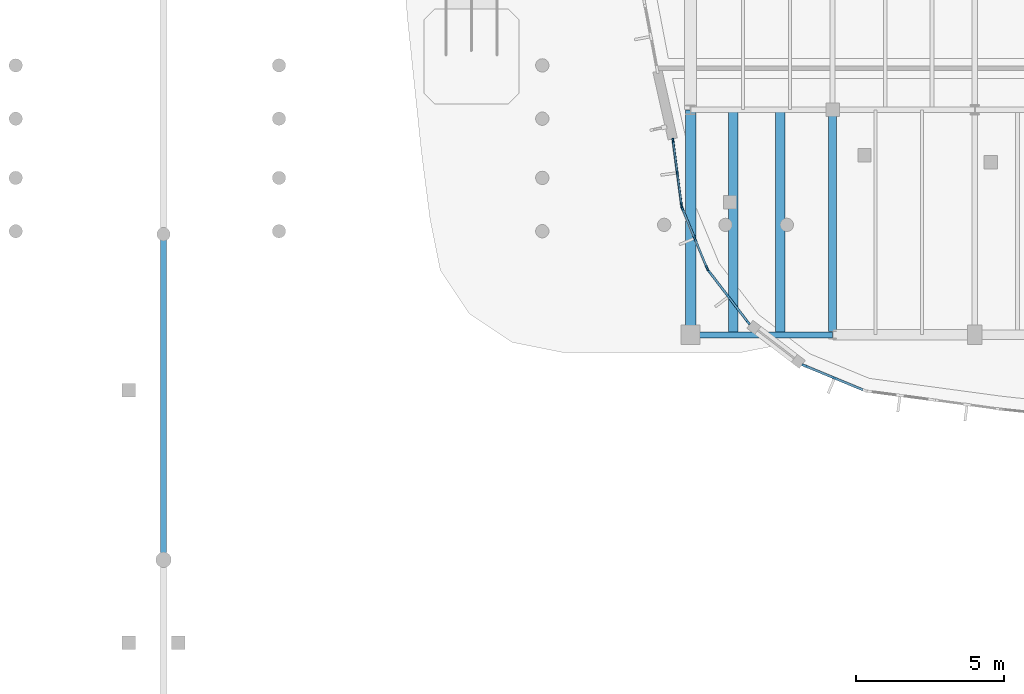
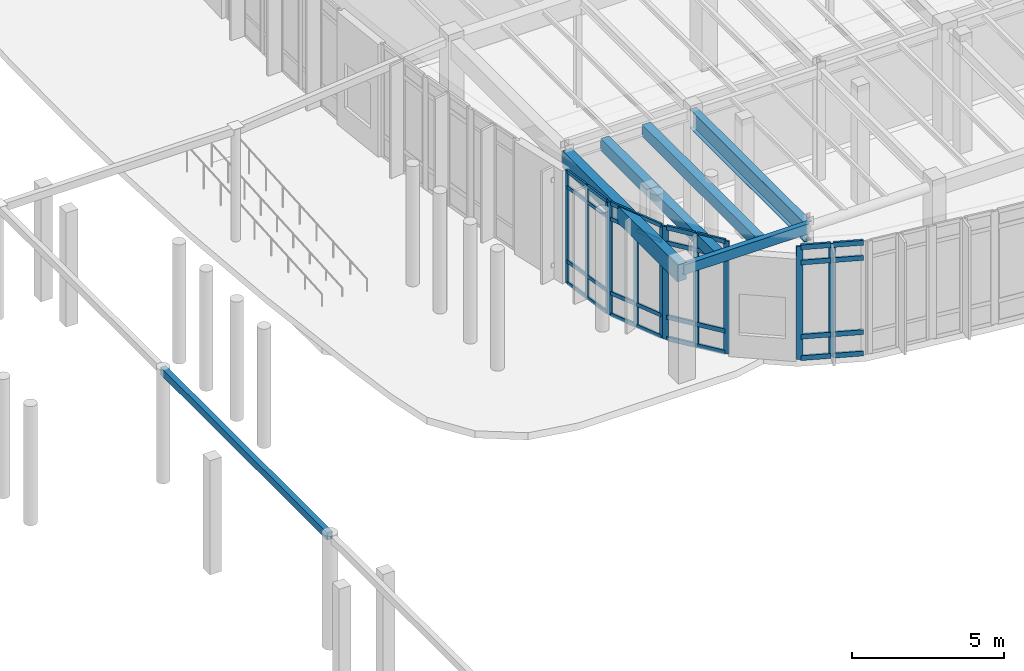
# One storey, part 37 of 120: 43 members, 6 beams, 4 elements without a shape of their own.
"""IFC4 building model written with IfcOpenShell, lengths in metres."""

from ifc_helpers import new_model, si_unit, direction, frame, origin, origin_2d, place, context, subcontext, project, spatial, rectangle, hollow_rectangle, i_section, extrude, material, material_profile, profile_set, type_object, element, aggregate, save


model = new_model("IFC4")

# Units and contexts
model_context = context("Model", 3, precision=1e-05, world=origin(), true_north=direction((0.0, 1.0)))
body_context = subcontext(model_context, "Body", "Model", "MODEL_VIEW")
ifc_project = project(units=[si_unit("LENGTHUNIT", "METRE"), si_unit("AREAUNIT", "SQUARE_METRE"), si_unit("VOLUMEUNIT", "CUBIC_METRE"), si_unit("PLANEANGLEUNIT", "RADIAN"), si_unit("MASSUNIT", "GRAM", prefix="KILO")], contexts=[model_context])

# Site, building, storey
site_placement = place(None, origin())
site = spatial("IfcSite", under=ifc_project, at=site_placement, CompositionType="ELEMENT")
building_placement = place(site_placement, origin())
building = spatial("IfcBuilding", under=site, at=building_placement, Name="Corveleigh Park Community Centre", CompositionType="ELEMENT")
storey_placement = place(building_placement, origin())
storey = spatial("IfcBuildingStorey", under=building, at=storey_placement, Name="L00", CompositionType="ELEMENT", Elevation=0.0)

# Beams
ifc_material_1 = material(Name="Concrete C40/50", Category="concrete")
ifc_material_profile_1 = material_profile(ifc_material_1, rectangle(XDim=0.324951171875, YDim=0.47509765625, at=origin_2d()), Name="RC-325x475", Category="concrete")
ifc_profile_set_1 = profile_set([ifc_material_profile_1], Name="Concrete C40/50")
beam_type_1 = type_object("IfcBeamType", Name="BM-RC-325x475", PredefinedType="JOIST", material=ifc_profile_set_1)
for number, where, z_axis, x_axis, name in (
    (1, (131.239990234375, 58.60498046875, 4.28955078125), (0.0, 1.0, 0.0), (-1.0, 0.0, 0.0), "Secondary floor joist"),
    (2, (132.823974609375, 58.60498046875, 4.28955078125), (0.0, 1.0, 0.0), (-1.0, 0.0, 0.0), "Secondary floor joist"),
):
    element("IfcBeam", number, at=place(storey_placement, frame(where, z_axis=z_axis, x_axis=x_axis)), inside=storey, type_object=beam_type_1, Name=name, PredefinedType="JOIST", context=body_context, shape_type="SweptSolid", body=[
        extrude(rectangle(XDim=0.324951171875, YDim=0.47509765625, at=origin_2d()), origin(), (0.0, 0.0, 1.0), 7.590087890625),
    ])
ifc_material_2 = material(Name="Steel S355", Category="steel")
ifc_material_profile_2 = material_profile(ifc_material_2, i_section(OverallWidth=0.2666015625, OverallDepth=0.76220703125, WebThickness=0.014404296875, FlangeThickness=0.021484375, at=origin_2d()), Name="UKB 762x267x173", Category="steel")
ifc_profile_set_2 = profile_set([ifc_material_profile_2], Name="Steel S355")
beam_type_2 = type_object("IfcBeamType", Name="BM-STL-UKB762x173", PredefinedType="BEAM", material=ifc_profile_set_2)
beam_1_placement = place(storey_placement, frame((134.60009765625, 58.60498046875, 4.14599609375), z_axis=(0.0, 1.0, 0.0), x_axis=(-1.0, 0.0, 0.0)))
element("IfcBeam", 3, at=beam_1_placement, inside=storey, type_object=beam_type_2, Name="V4 Girder Y", PredefinedType="BEAM", context=body_context, shape_type="SweptSolid", body=[
    extrude(i_section(OverallWidth=0.2666015625, OverallDepth=0.76220703125, WebThickness=0.014404296875, FlangeThickness=0.021484375, at=origin_2d()), origin(), (0.0, 0.0, 1.0), 7.590087890625),
])

# Curtain wall, members
ifc_material_3 = material(Name="Anodised aluminium 6063-T6", Category="aluminium")
curtain_wall_type = type_object("IfcCurtainWallType", Name="CW-SYS-V4-L00", PredefinedType="NOTDEFINED", material=ifc_material_3)
curtain_wall_1_placement = place(storey_placement, origin())
curtain_wall_1 = element("IfcCurtainWall", 4, at=curtain_wall_1_placement, inside=storey, type_object=curtain_wall_type, Name="V4 L00 Curtain Wall 157", PredefinedType="NOTDEFINED")
ifc_material_profile_3 = material_profile(ifc_material_3, rectangle(XDim=0.06005859375, YDim=0.159912109375, at=origin_2d()), Name="ALU-M60x160", Category="aluminium")
ifc_profile_set_3 = profile_set([ifc_material_profile_3], Name="Anodised aluminium 6063-T6")
member_type_1 = type_object("IfcMemberType", Name="CWM-60x160", PredefinedType="MULLION", material=ifc_profile_set_3)
member_1_placement = place(storey_placement, frame((129.4921875, 62.983642578125, 0.0), z_axis=(0.0, 0.0, 1.0), x_axis=(-0.991428562913, -0.13064993165, 0.0)))
member_1 = element("IfcMember", 5, at=member_1_placement, type_object=member_type_1, Name="CW07 mullion 1", PredefinedType="MULLION", context=body_context, shape_type="SweptSolid", body=[
    extrude(rectangle(XDim=0.06005859375, YDim=0.159912109375, at=origin_2d()), origin(), (0.0, 0.0, 1.0), 4.537109375),
])
member_2_placement = place(storey_placement, frame((129.34912109375, 64.069580078125, 0.0), z_axis=(0.0, 0.0, 1.0), x_axis=(-0.991428562913, -0.13064993165, 0.0)))
member_2 = element("IfcMember", 6, at=member_2_placement, type_object=member_type_1, Name="CW07 mullion 2", PredefinedType="MULLION", context=body_context, shape_type="SweptSolid", body=[
    extrude(rectangle(XDim=0.06005859375, YDim=0.159912109375, at=origin_2d()), origin(), (0.0, 0.0, 1.0), 4.537109375),
])
member_3_placement = place(storey_placement, frame((129.205810546875, 65.1552734375, 0.0), z_axis=(0.0, 0.0, 1.0), x_axis=(-0.991428562913, -0.13064993165, 0.0)))
member_3 = element("IfcMember", 7, at=member_3_placement, type_object=member_type_1, Name="CW07 mullion 3", PredefinedType="MULLION", context=body_context, shape_type="SweptSolid", body=[
    extrude(rectangle(XDim=0.06005859375, YDim=0.159912109375, at=origin_2d()), origin(), (0.0, 0.0, 1.0), 4.537109375),
])

curtain_wall_2_placement = place(storey_placement, origin())
curtain_wall_2 = element("IfcCurtainWall", 8, at=curtain_wall_2_placement, inside=storey, type_object=curtain_wall_type, Name="V4 L00 Curtain Wall 158", PredefinedType="NOTDEFINED")
ifc_material_profile_4 = material_profile(ifc_material_3, rectangle(XDim=0.06494140625, YDim=0.179931640625, at=origin_2d()), Name="ALU-M65x180", Category="aluminium")
ifc_profile_set_4 = profile_set([ifc_material_profile_4], Name="Anodised aluminium 6063-T6")
member_type_2 = type_object("IfcMemberType", Name="CWM-65x180", PredefinedType="MULLION", material=ifc_profile_set_4)
member_4_placement = place(storey_placement, frame((130.3544921875, 60.860107421875, 0.0), z_axis=(0.0, 0.0, 1.0), x_axis=(-0.923738247695, -0.383024346152, 0.0)))
member_4 = element("IfcMember", 9, at=member_4_placement, type_object=member_type_2, Name="CW07 mullion 1", PredefinedType="MULLION", context=body_context, shape_type="SweptSolid", body=[
    extrude(rectangle(XDim=0.06494140625, YDim=0.179931640625, at=origin_2d()), origin(), (0.0, 0.0, 1.0), 4.537109375),
])
member_5_placement = place(storey_placement, frame((129.939453125, 61.861083984375, 0.0), z_axis=(0.0, 0.0, 1.0), x_axis=(-0.923738247695, -0.383024346152, 0.0)))
member_5 = element("IfcMember", 10, at=member_5_placement, type_object=member_type_2, Name="CW07 mullion 2", PredefinedType="MULLION", context=body_context, shape_type="SweptSolid", body=[
    extrude(rectangle(XDim=0.06494140625, YDim=0.179931640625, at=origin_2d()), origin(), (0.0, 0.0, 1.0), 4.537109375),
])
member_6_placement = place(storey_placement, frame((129.5244140625, 62.862060546875, 0.0), z_axis=(0.0, 0.0, 1.0), x_axis=(-0.923738247695, -0.383024346152, 0.0)))
member_6 = element("IfcMember", 11, at=member_6_placement, type_object=member_type_2, Name="CW07 mullion 3", PredefinedType="MULLION", context=body_context, shape_type="SweptSolid", body=[
    extrude(rectangle(XDim=0.06494140625, YDim=0.179931640625, at=origin_2d()), origin(), (0.0, 0.0, 1.0), 4.537109375),
])

curtain_wall_3_placement = place(storey_placement, origin())
curtain_wall_3 = element("IfcCurtainWall", 12, at=curtain_wall_3_placement, inside=storey, type_object=curtain_wall_type, Name="V4 L00 Curtain Wall 159", PredefinedType="NOTDEFINED")
ifc_material_profile_5 = material_profile(ifc_material_3, rectangle(XDim=0.070068359375, YDim=0.199951171875, at=origin_2d()), Name="ALU-M70x200", Category="aluminium")
ifc_profile_set_5 = profile_set([ifc_material_profile_5], Name="Anodised aluminium 6063-T6")
member_type_3 = type_object("IfcMemberType", Name="CWM-70x200", PredefinedType="MULLION", material=ifc_profile_set_5)
member_7_placement = place(storey_placement, frame((131.73681640625, 59.02978515625, 0.0), z_axis=(0.0, 0.0, 1.0), x_axis=(-0.79345507523, -0.608628822511, 0.0)))
member_7 = element("IfcMember", 13, at=member_7_placement, type_object=member_type_3, Name="CW07 mullion 1", PredefinedType="MULLION", context=body_context, shape_type="SweptSolid", body=[
    extrude(rectangle(XDim=0.070068359375, YDim=0.199951171875, at=origin_2d()), origin(), (0.0, 0.0, 1.0), 4.537109375),
])
member_8_placement = place(storey_placement, frame((131.077880859375, 59.888427734375, 0.0), z_axis=(0.0, 0.0, 1.0), x_axis=(-0.79345507523, -0.608628822511, 0.0)))
member_8 = element("IfcMember", 14, at=member_8_placement, type_object=member_type_3, Name="CW07 mullion 2", PredefinedType="MULLION", context=body_context, shape_type="SweptSolid", body=[
    extrude(rectangle(XDim=0.070068359375, YDim=0.199951171875, at=origin_2d()), origin(), (0.0, 0.0, 1.0), 4.537109375),
])
member_9_placement = place(storey_placement, frame((130.419189453125, 60.747314453125, 0.0), z_axis=(0.0, 0.0, 1.0), x_axis=(-0.79345507523, -0.608628822511, 0.0)))
member_9 = element("IfcMember", 15, at=member_9_placement, type_object=member_type_3, Name="CW07 mullion 3", PredefinedType="MULLION", context=body_context, shape_type="SweptSolid", body=[
    extrude(rectangle(XDim=0.070068359375, YDim=0.199951171875, at=origin_2d()), origin(), (0.0, 0.0, 1.0), 4.537109375),
])

curtain_wall_4_placement = place(storey_placement, origin())
curtain_wall_4 = element("IfcCurtainWall", 16, at=curtain_wall_4_placement, inside=storey, type_object=curtain_wall_type, Name="V4 L00 Curtain Wall 160", PredefinedType="NOTDEFINED")
ifc_material_profile_6 = material_profile(ifc_material_3, rectangle(XDim=0.074951171875, YDim=0.219970703125, at=origin_2d()), Name="ALU-M75x220", Category="aluminium")
ifc_profile_set_6 = profile_set([ifc_material_profile_6], Name="Anodised aluminium 6063-T6")
member_type_4 = type_object("IfcMemberType", Name="CWM-75x220", PredefinedType="MULLION", material=ifc_profile_set_6)
member_10_placement = place(storey_placement, frame((134.660888671875, 57.139404296875, 0.0), z_axis=(0.0, 0.0, 1.0), x_axis=(-0.383024346152, -0.923738247695, 0.0)))
member_10 = element("IfcMember", 17, at=member_10_placement, type_object=member_type_4, Name="CW07 mullion 2", PredefinedType="MULLION", context=body_context, shape_type="SweptSolid", body=[
    extrude(rectangle(XDim=0.074951171875, YDim=0.219970703125, at=origin_2d()), origin(), (0.0, 0.0, 1.0), 4.537109375),
])
member_11_placement = place(storey_placement, frame((133.66455078125, 57.552734375, 0.0), z_axis=(0.0, 0.0, 1.0), x_axis=(-0.383024346152, -0.923738247695, 0.0)))
member_11 = element("IfcMember", 18, at=member_11_placement, type_object=member_type_4, Name="CW07 mullion 3", PredefinedType="MULLION", context=body_context, shape_type="SweptSolid", body=[
    extrude(rectangle(XDim=0.074951171875, YDim=0.219970703125, at=origin_2d()), origin(), (0.0, 0.0, 1.0), 4.537109375),
])

# Member
ifc_material_profile_7 = material_profile(ifc_material_3, rectangle(XDim=0.06494140625, YDim=0.139892578125, at=origin_2d()), Name="ALU-T65x140", Category="aluminium")
ifc_profile_set_7 = profile_set([ifc_material_profile_7], Name="Anodised aluminium 6063-T6")
member_type_5 = type_object("IfcMemberType", Name="CWT-65x140", PredefinedType="USERDEFINED", material=ifc_profile_set_7)
member_12_placement = place(storey_placement, frame((129.48828125, 63.013427734375, 0.032470703125), z_axis=(-0.13064972384, 0.991428590298, 0.0), x_axis=(-0.991428590298, -0.13064972384, 0.0)))
member_12 = element("IfcMember", 19, at=member_12_placement, type_object=member_type_5, Name="CW07 transom 1.1", ObjectType="TRANSOM", PredefinedType="USERDEFINED", context=body_context, shape_type="SweptSolid", body=[
    extrude(rectangle(XDim=0.06494140625, YDim=0.139892578125, at=origin_2d()), origin(), (0.0, 0.0, 1.0), 1.03515625),
])

member_13_placement = place(storey_placement, frame((129.48828125, 63.013427734375, 0.89990234375), z_axis=(-0.13064972384, 0.991428590298, 0.0), x_axis=(-0.991428590298, -0.13064972384, 0.0)))
member_13 = element("IfcMember", 20, at=member_13_placement, type_object=member_type_5, Name="CW07 transom 1.2", ObjectType="TRANSOM", PredefinedType="USERDEFINED", context=body_context, shape_type="SweptSolid", body=[
    extrude(rectangle(XDim=0.06494140625, YDim=0.139892578125, at=origin_2d()), origin(), (0.0, 0.0, 1.0), 1.03515625),
])

member_14_placement = place(storey_placement, frame((129.48828125, 63.013427734375, 3.886962890625), z_axis=(-0.13064972384, 0.991428590298, 0.0), x_axis=(-0.991428590298, -0.13064972384, 0.0)))
member_14 = element("IfcMember", 21, at=member_14_placement, type_object=member_type_5, Name="CW07 transom 1.3", ObjectType="TRANSOM", PredefinedType="USERDEFINED", context=body_context, shape_type="SweptSolid", body=[
    extrude(rectangle(XDim=0.06494140625, YDim=0.139892578125, at=origin_2d()), origin(), (0.0, 0.0, 1.0), 1.03515625),
])

member_15_placement = place(storey_placement, frame((129.48828125, 63.013427734375, 4.50439453125), z_axis=(-0.13064972384, 0.991428590298, 0.0), x_axis=(-0.991428590298, -0.13064972384, 0.0)))
member_15 = element("IfcMember", 22, at=member_15_placement, type_object=member_type_5, Name="CW07 transom 1.4", ObjectType="TRANSOM", PredefinedType="USERDEFINED", context=body_context, shape_type="SweptSolid", body=[
    extrude(rectangle(XDim=0.06494140625, YDim=0.139892578125, at=origin_2d()), origin(), (0.0, 0.0, 1.0), 1.03515625),
])

member_16_placement = place(storey_placement, frame((129.344970703125, 64.09912109375, 0.032470703125), z_axis=(-0.130417908769, 0.991459111145, 0.0), x_axis=(-0.991459111145, -0.130417908769, 0.0)))
member_16 = element("IfcMember", 23, at=member_16_placement, type_object=member_type_5, Name="CW07 transom 2.1", ObjectType="TRANSOM", PredefinedType="USERDEFINED", context=body_context, shape_type="SweptSolid", body=[
    extrude(rectangle(XDim=0.06494140625, YDim=0.139892578125, at=origin_2d()), origin(), (0.0, 0.0, 1.0), 1.03515625),
])

member_17_placement = place(storey_placement, frame((129.344970703125, 64.09912109375, 0.89990234375), z_axis=(-0.130417908769, 0.991459111145, 0.0), x_axis=(-0.991459111145, -0.130417908769, 0.0)))
member_17 = element("IfcMember", 24, at=member_17_placement, type_object=member_type_5, Name="CW07 transom 2.2", ObjectType="TRANSOM", PredefinedType="USERDEFINED", context=body_context, shape_type="SweptSolid", body=[
    extrude(rectangle(XDim=0.06494140625, YDim=0.139892578125, at=origin_2d()), origin(), (0.0, 0.0, 1.0), 1.03515625),
])

member_18_placement = place(storey_placement, frame((129.344970703125, 64.09912109375, 3.886962890625), z_axis=(-0.130417908769, 0.991459111145, 0.0), x_axis=(-0.991459111145, -0.130417908769, 0.0)))
member_18 = element("IfcMember", 25, at=member_18_placement, type_object=member_type_5, Name="CW07 transom 2.3", ObjectType="TRANSOM", PredefinedType="USERDEFINED", context=body_context, shape_type="SweptSolid", body=[
    extrude(rectangle(XDim=0.06494140625, YDim=0.139892578125, at=origin_2d()), origin(), (0.0, 0.0, 1.0), 1.03515625),
])

member_19_placement = place(storey_placement, frame((129.344970703125, 64.09912109375, 4.50439453125), z_axis=(-0.130417908769, 0.991459111145, 0.0), x_axis=(-0.991459111145, -0.130417908769, 0.0)))
member_19 = element("IfcMember", 26, at=member_19_placement, type_object=member_type_5, Name="CW07 transom 2.4", ObjectType="TRANSOM", PredefinedType="USERDEFINED", context=body_context, shape_type="SweptSolid", body=[
    extrude(rectangle(XDim=0.06494140625, YDim=0.139892578125, at=origin_2d()), origin(), (0.0, 0.0, 1.0), 1.03515625),
])

aggregate(curtain_wall_1, [member_1, member_2, member_3, member_12, member_13, member_14, member_15, member_16, member_17, member_18, member_19])

ifc_material_profile_8 = material_profile(ifc_material_3, rectangle(XDim=0.070068359375, YDim=0.155029296875, at=origin_2d()), Name="ALU-T70x155", Category="aluminium")
ifc_profile_set_8 = profile_set([ifc_material_profile_8], Name="Anodised aluminium 6063-T6")
member_type_6 = type_object("IfcMemberType", Name="CWT-70x155", PredefinedType="USERDEFINED", material=ifc_profile_set_8)
member_20_placement = place(storey_placement, frame((130.342041015625, 60.89013671875, 0.034912109375), z_axis=(-0.3830150227, 0.923742113572, 0.0), x_axis=(-0.923742113572, -0.3830150227, 0.0)))
member_20 = element("IfcMember", 27, at=member_20_placement, type_object=member_type_6, Name="CW07 transom 1.1", ObjectType="TRANSOM", PredefinedType="USERDEFINED", context=body_context, shape_type="SweptSolid", body=[
    extrude(rectangle(XDim=0.070068359375, YDim=0.155029296875, at=origin_2d()), origin(), (0.0, 0.0, 1.0), 1.0185546875),
])

member_21_placement = place(storey_placement, frame((130.342041015625, 60.89013671875, 0.89990234375), z_axis=(-0.3830150227, 0.923742113572, 0.0), x_axis=(-0.923742113572, -0.3830150227, 0.0)))
member_21 = element("IfcMember", 28, at=member_21_placement, type_object=member_type_6, Name="CW07 transom 1.2", ObjectType="TRANSOM", PredefinedType="USERDEFINED", context=body_context, shape_type="SweptSolid", body=[
    extrude(rectangle(XDim=0.070068359375, YDim=0.155029296875, at=origin_2d()), origin(), (0.0, 0.0, 1.0), 1.0185546875),
])

member_22_placement = place(storey_placement, frame((130.342041015625, 60.89013671875, 3.886962890625), z_axis=(-0.3830150227, 0.923742113572, 0.0), x_axis=(-0.923742113572, -0.3830150227, 0.0)))
member_22 = element("IfcMember", 29, at=member_22_placement, type_object=member_type_6, Name="CW07 transom 1.3", ObjectType="TRANSOM", PredefinedType="USERDEFINED", context=body_context, shape_type="SweptSolid", body=[
    extrude(rectangle(XDim=0.070068359375, YDim=0.155029296875, at=origin_2d()), origin(), (0.0, 0.0, 1.0), 1.0185546875),
])

member_23_placement = place(storey_placement, frame((130.342041015625, 60.89013671875, 4.501953125), z_axis=(-0.3830150227, 0.923742113572, 0.0), x_axis=(-0.923742113572, -0.3830150227, 0.0)))
member_23 = element("IfcMember", 30, at=member_23_placement, type_object=member_type_6, Name="CW07 transom 1.4", ObjectType="TRANSOM", PredefinedType="USERDEFINED", context=body_context, shape_type="SweptSolid", body=[
    extrude(rectangle(XDim=0.070068359375, YDim=0.155029296875, at=origin_2d()), origin(), (0.0, 0.0, 1.0), 1.0185546875),
])

member_24_placement = place(storey_placement, frame((129.927001953125, 61.89111328125, 0.034912109375), z_axis=(-0.3830150227, 0.923742113572, 0.0), x_axis=(-0.923742113572, -0.3830150227, 0.0)))
member_24 = element("IfcMember", 31, at=member_24_placement, type_object=member_type_6, Name="CW07 transom 2.1", ObjectType="TRANSOM", PredefinedType="USERDEFINED", context=body_context, shape_type="SweptSolid", body=[
    extrude(rectangle(XDim=0.070068359375, YDim=0.155029296875, at=origin_2d()), origin(), (0.0, 0.0, 1.0), 1.0185546875),
])

member_25_placement = place(storey_placement, frame((129.927001953125, 61.89111328125, 0.89990234375), z_axis=(-0.3830150227, 0.923742113572, 0.0), x_axis=(-0.923742113572, -0.3830150227, 0.0)))
member_25 = element("IfcMember", 32, at=member_25_placement, type_object=member_type_6, Name="CW07 transom 2.2", ObjectType="TRANSOM", PredefinedType="USERDEFINED", context=body_context, shape_type="SweptSolid", body=[
    extrude(rectangle(XDim=0.070068359375, YDim=0.155029296875, at=origin_2d()), origin(), (0.0, 0.0, 1.0), 1.0185546875),
])

member_26_placement = place(storey_placement, frame((129.927001953125, 61.89111328125, 3.886962890625), z_axis=(-0.3830150227, 0.923742113572, 0.0), x_axis=(-0.923742113572, -0.3830150227, 0.0)))
member_26 = element("IfcMember", 33, at=member_26_placement, type_object=member_type_6, Name="CW07 transom 2.3", ObjectType="TRANSOM", PredefinedType="USERDEFINED", context=body_context, shape_type="SweptSolid", body=[
    extrude(rectangle(XDim=0.070068359375, YDim=0.155029296875, at=origin_2d()), origin(), (0.0, 0.0, 1.0), 1.0185546875),
])

member_27_placement = place(storey_placement, frame((129.927001953125, 61.89111328125, 4.501953125), z_axis=(-0.3830150227, 0.923742113572, 0.0), x_axis=(-0.923742113572, -0.3830150227, 0.0)))
member_27 = element("IfcMember", 34, at=member_27_placement, type_object=member_type_6, Name="CW07 transom 2.4", ObjectType="TRANSOM", PredefinedType="USERDEFINED", context=body_context, shape_type="SweptSolid", body=[
    extrude(rectangle(XDim=0.070068359375, YDim=0.155029296875, at=origin_2d()), origin(), (0.0, 0.0, 1.0), 1.0185546875),
])

aggregate(curtain_wall_2, [member_4, member_5, member_6, member_20, member_21, member_22, member_23, member_24, member_25, member_26, member_27])

ifc_material_profile_9 = material_profile(ifc_material_3, rectangle(XDim=0.074951171875, YDim=0.175048828125, at=origin_2d()), Name="ALU-T75x175", Category="aluminium")
ifc_profile_set_9 = profile_set([ifc_material_profile_9], Name="Anodised aluminium 6063-T6")
member_type_7 = type_object("IfcMemberType", Name="CWT-75x175", PredefinedType="USERDEFINED", material=ifc_profile_set_9)
member_28_placement = place(storey_placement, frame((131.71533203125, 59.0576171875, 0.03759765625), z_axis=(-0.60853280986, 0.79352871361, 0.0), x_axis=(-0.79352871361, -0.60853280986, 0.0)))
member_28 = element("IfcMember", 35, at=member_28_placement, type_object=member_type_7, Name="CW07 transom 1.1", ObjectType="TRANSOM", PredefinedType="USERDEFINED", context=body_context, shape_type="SweptSolid", body=[
    extrude(rectangle(XDim=0.074951171875, YDim=0.175048828125, at=origin_2d()), origin(), (0.0, 0.0, 1.0), 1.01220703125),
])

member_29_placement = place(storey_placement, frame((131.71533203125, 59.0576171875, 0.89990234375), z_axis=(-0.60853280986, 0.79352871361, 0.0), x_axis=(-0.79352871361, -0.60853280986, 0.0)))
member_29 = element("IfcMember", 36, at=member_29_placement, type_object=member_type_7, Name="CW07 transom 1.2", ObjectType="TRANSOM", PredefinedType="USERDEFINED", context=body_context, shape_type="SweptSolid", body=[
    extrude(rectangle(XDim=0.074951171875, YDim=0.175048828125, at=origin_2d()), origin(), (0.0, 0.0, 1.0), 1.01220703125),
])

member_30_placement = place(storey_placement, frame((131.71533203125, 59.0576171875, 3.886962890625), z_axis=(-0.60853280986, 0.79352871361, 0.0), x_axis=(-0.79352871361, -0.60853280986, 0.0)))
member_30 = element("IfcMember", 37, at=member_30_placement, type_object=member_type_7, Name="CW07 transom 1.3", ObjectType="TRANSOM", PredefinedType="USERDEFINED", context=body_context, shape_type="SweptSolid", body=[
    extrude(rectangle(XDim=0.074951171875, YDim=0.175048828125, at=origin_2d()), origin(), (0.0, 0.0, 1.0), 1.01220703125),
])

member_31_placement = place(storey_placement, frame((131.71533203125, 59.0576171875, 4.49951171875), z_axis=(-0.60853280986, 0.79352871361, 0.0), x_axis=(-0.79352871361, -0.60853280986, 0.0)))
member_31 = element("IfcMember", 38, at=member_31_placement, type_object=member_type_7, Name="CW07 transom 1.4", ObjectType="TRANSOM", PredefinedType="USERDEFINED", context=body_context, shape_type="SweptSolid", body=[
    extrude(rectangle(XDim=0.074951171875, YDim=0.175048828125, at=origin_2d()), origin(), (0.0, 0.0, 1.0), 1.01220703125),
])

member_32_placement = place(storey_placement, frame((131.056640625, 59.916259765625, 0.03759765625), z_axis=(-0.60853280986, 0.79352871361, 0.0), x_axis=(-0.79352871361, -0.60853280986, 0.0)))
member_32 = element("IfcMember", 39, at=member_32_placement, type_object=member_type_7, Name="CW07 transom 2.1", ObjectType="TRANSOM", PredefinedType="USERDEFINED", context=body_context, shape_type="SweptSolid", body=[
    extrude(rectangle(XDim=0.074951171875, YDim=0.175048828125, at=origin_2d()), origin(), (0.0, 0.0, 1.0), 1.01220703125),
])

member_33_placement = place(storey_placement, frame((131.056640625, 59.916259765625, 0.89990234375), z_axis=(-0.60853280986, 0.79352871361, 0.0), x_axis=(-0.79352871361, -0.60853280986, 0.0)))
member_33 = element("IfcMember", 40, at=member_33_placement, type_object=member_type_7, Name="CW07 transom 2.2", ObjectType="TRANSOM", PredefinedType="USERDEFINED", context=body_context, shape_type="SweptSolid", body=[
    extrude(rectangle(XDim=0.074951171875, YDim=0.175048828125, at=origin_2d()), origin(), (0.0, 0.0, 1.0), 1.01220703125),
])

member_34_placement = place(storey_placement, frame((131.056640625, 59.916259765625, 3.886962890625), z_axis=(-0.60853280986, 0.79352871361, 0.0), x_axis=(-0.79352871361, -0.60853280986, 0.0)))
member_34 = element("IfcMember", 41, at=member_34_placement, type_object=member_type_7, Name="CW07 transom 2.3", ObjectType="TRANSOM", PredefinedType="USERDEFINED", context=body_context, shape_type="SweptSolid", body=[
    extrude(rectangle(XDim=0.074951171875, YDim=0.175048828125, at=origin_2d()), origin(), (0.0, 0.0, 1.0), 1.01220703125),
])

member_35_placement = place(storey_placement, frame((131.056640625, 59.916259765625, 4.49951171875), z_axis=(-0.60853280986, 0.79352871361, 0.0), x_axis=(-0.79352871361, -0.60853280986, 0.0)))
member_35 = element("IfcMember", 42, at=member_35_placement, type_object=member_type_7, Name="CW07 transom 2.4", ObjectType="TRANSOM", PredefinedType="USERDEFINED", context=body_context, shape_type="SweptSolid", body=[
    extrude(rectangle(XDim=0.074951171875, YDim=0.175048828125, at=origin_2d()), origin(), (0.0, 0.0, 1.0), 1.01220703125),
])

aggregate(curtain_wall_3, [member_7, member_8, member_9, member_28, member_29, member_30, member_31, member_32, member_33, member_34, member_35])

ifc_material_profile_10 = material_profile(ifc_material_3, rectangle(XDim=0.080078125, YDim=0.195068359375, at=origin_2d()), Name="ALU-T80x195", Category="aluminium")
ifc_profile_set_10 = profile_set([ifc_material_profile_10], Name="Anodised aluminium 6063-T6")
member_type_8 = type_object("IfcMemberType", Name="CWT-80x195", PredefinedType="USERDEFINED", material=ifc_profile_set_10)
member_36_placement = place(storey_placement, frame((135.622802734375, 56.74072265625, 0.0400390625), z_axis=(-0.923723223312, 0.383060578388, 0.0), x_axis=(-0.383060578388, -0.923723223312, 0.0)))
member_36 = element("IfcMember", 43, at=member_36_placement, type_object=member_type_8, Name="CW07 transom 1.1", ObjectType="TRANSOM", PredefinedType="USERDEFINED", context=body_context, shape_type="SweptSolid", body=[
    extrude(rectangle(XDim=0.080078125, YDim=0.195068359375, at=origin_2d()), origin(), (0.0, 0.0, 1.0), 1.00390625),
])

member_37_placement = place(storey_placement, frame((135.622802734375, 56.74072265625, 0.89990234375), z_axis=(-0.923723223312, 0.383060578388, 0.0), x_axis=(-0.383060578388, -0.923723223312, 0.0)))
member_37 = element("IfcMember", 44, at=member_37_placement, type_object=member_type_8, Name="CW07 transom 1.2", ObjectType="TRANSOM", PredefinedType="USERDEFINED", context=body_context, shape_type="SweptSolid", body=[
    extrude(rectangle(XDim=0.080078125, YDim=0.195068359375, at=origin_2d()), origin(), (0.0, 0.0, 1.0), 1.00390625),
])

member_38_placement = place(storey_placement, frame((135.622802734375, 56.74072265625, 3.886962890625), z_axis=(-0.923723223312, 0.383060578388, 0.0), x_axis=(-0.383060578388, -0.923723223312, 0.0)))
member_38 = element("IfcMember", 45, at=member_38_placement, type_object=member_type_8, Name="CW07 transom 1.3", ObjectType="TRANSOM", PredefinedType="USERDEFINED", context=body_context, shape_type="SweptSolid", body=[
    extrude(rectangle(XDim=0.080078125, YDim=0.195068359375, at=origin_2d()), origin(), (0.0, 0.0, 1.0), 1.00390625),
])

member_39_placement = place(storey_placement, frame((135.622802734375, 56.74072265625, 4.4970703125), z_axis=(-0.923723223312, 0.383060578388, 0.0), x_axis=(-0.383060578388, -0.923723223312, 0.0)))
member_39 = element("IfcMember", 46, at=member_39_placement, type_object=member_type_8, Name="CW07 transom 1.4", ObjectType="TRANSOM", PredefinedType="USERDEFINED", context=body_context, shape_type="SweptSolid", body=[
    extrude(rectangle(XDim=0.080078125, YDim=0.195068359375, at=origin_2d()), origin(), (0.0, 0.0, 1.0), 1.00390625),
])

member_40_placement = place(storey_placement, frame((134.62646484375, 57.15380859375, 0.0400390625), z_axis=(-0.923723223312, 0.383060578388, 0.0), x_axis=(-0.383060578388, -0.923723223312, 0.0)))
member_40 = element("IfcMember", 47, at=member_40_placement, type_object=member_type_8, Name="CW07 transom 2.1", ObjectType="TRANSOM", PredefinedType="USERDEFINED", context=body_context, shape_type="SweptSolid", body=[
    extrude(rectangle(XDim=0.080078125, YDim=0.195068359375, at=origin_2d()), origin(), (0.0, 0.0, 1.0), 1.00390625),
])

member_41_placement = place(storey_placement, frame((134.62646484375, 57.15380859375, 0.89990234375), z_axis=(-0.923723223312, 0.383060578388, 0.0), x_axis=(-0.383060578388, -0.923723223312, 0.0)))
member_41 = element("IfcMember", 48, at=member_41_placement, type_object=member_type_8, Name="CW07 transom 2.2", ObjectType="TRANSOM", PredefinedType="USERDEFINED", context=body_context, shape_type="SweptSolid", body=[
    extrude(rectangle(XDim=0.080078125, YDim=0.195068359375, at=origin_2d()), origin(), (0.0, 0.0, 1.0), 1.00390625),
])

member_42_placement = place(storey_placement, frame((134.62646484375, 57.15380859375, 3.886962890625), z_axis=(-0.923723223312, 0.383060578388, 0.0), x_axis=(-0.383060578388, -0.923723223312, 0.0)))
member_42 = element("IfcMember", 49, at=member_42_placement, type_object=member_type_8, Name="CW07 transom 2.3", ObjectType="TRANSOM", PredefinedType="USERDEFINED", context=body_context, shape_type="SweptSolid", body=[
    extrude(rectangle(XDim=0.080078125, YDim=0.195068359375, at=origin_2d()), origin(), (0.0, 0.0, 1.0), 1.00390625),
])

member_43_placement = place(storey_placement, frame((134.62646484375, 57.15380859375, 4.4970703125), z_axis=(-0.923723223312, 0.383060578388, 0.0), x_axis=(-0.383060578388, -0.923723223312, 0.0)))
member_43 = element("IfcMember", 50, at=member_43_placement, type_object=member_type_8, Name="CW07 transom 2.4", ObjectType="TRANSOM", PredefinedType="USERDEFINED", context=body_context, shape_type="SweptSolid", body=[
    extrude(rectangle(XDim=0.080078125, YDim=0.195068359375, at=origin_2d()), origin(), (0.0, 0.0, 1.0), 1.00390625),
])

aggregate(curtain_wall_4, [member_10, member_11, member_36, member_37, member_38, member_39, member_40, member_41, member_42, member_43])

# Beams
ifc_material_profile_11 = material_profile(ifc_material_1, rectangle(XDim=0.35009765625, YDim=0.679931640625, at=origin_2d()), Name="RC-350x680", Category="concrete")
ifc_profile_set_11 = profile_set([ifc_material_profile_11], Name="Concrete C40/50")
beam_type_3 = type_object("IfcBeamType", Name="SP-RC-350x680", PredefinedType="SPANDREL", material=ifc_profile_set_11)
beam_2_placement = place(storey_placement, frame((129.800048828125, 58.60498046875, 4.197021484375), z_axis=(0.0, 1.0, 0.0), x_axis=(-1.0, 0.0, 0.0)))
element("IfcBeam", 51, at=beam_2_placement, inside=storey, type_object=beam_type_3, Name="V4 Girder Y", PredefinedType="SPANDREL", context=body_context, shape_type="SweptSolid", body=[
    extrude(rectangle(XDim=0.35009765625, YDim=0.679931640625, at=origin_2d()), origin(), (0.0, 0.0, 1.0), 7.590087890625),
])
ifc_material_profile_12 = material_profile(ifc_material_2, hollow_rectangle(XDim=0.199951171875, YDim=0.300048828125, WallThickness=0.012451171875, at=origin_2d()), Name="RHS 300x200x12.5", Category="steel")
ifc_profile_set_12 = profile_set([ifc_material_profile_12], Name="Steel S355")
beam_type_4 = type_object("IfcBeamType", Name="SP-STL-RHS300x200", PredefinedType="SPANDREL", material=ifc_profile_set_12)
beam_3_placement = place(storey_placement, frame((112.0, 61.9951171875, 4.429931640625), z_axis=(0.0, -1.0, 0.0), x_axis=(1.0, 0.0, 0.0)))
element("IfcBeam", 52, at=beam_3_placement, inside=storey, type_object=beam_type_4, Name="Covered Passage Canopy Girder", PredefinedType="SPANDREL", context=body_context, shape_type="SweptSolid", body=[
    extrude(hollow_rectangle(XDim=0.199951171875, YDim=0.300048828125, WallThickness=0.012451171875, at=origin_2d()), origin(), (0.0, 0.0, 1.0), 10.990234375),
])
ifc_material_profile_13 = material_profile(ifc_material_2, hollow_rectangle(XDim=0.199951171875, YDim=0.39990234375, WallThickness=0.012451171875, at=origin_2d()), Name="RHS 400x200x12.5", Category="steel")
ifc_profile_set_13 = profile_set([ifc_material_profile_13], Name="Steel S355")
beam_type_5 = type_object("IfcBeamType", Name="SP-STL-RHS400x200", PredefinedType="SPANDREL", material=ifc_profile_set_13)
beam_4_placement = place(storey_placement, frame((129.804931640625, 58.60009765625, 4.3369140625), z_axis=(1.0, 0.0, 0.0), x_axis=(0.0, 1.0, 0.0)))
element("IfcBeam", 53, at=beam_4_placement, inside=storey, type_object=beam_type_5, Name="V4 Girder X", PredefinedType="SPANDREL", context=body_context, shape_type="SweptSolid", body=[
    extrude(hollow_rectangle(XDim=0.199951171875, YDim=0.39990234375, WallThickness=0.012451171875, at=origin_2d()), origin(), (0.0, 0.0, 1.0), 4.7900390625),
])

save(model, "model.ifc")
